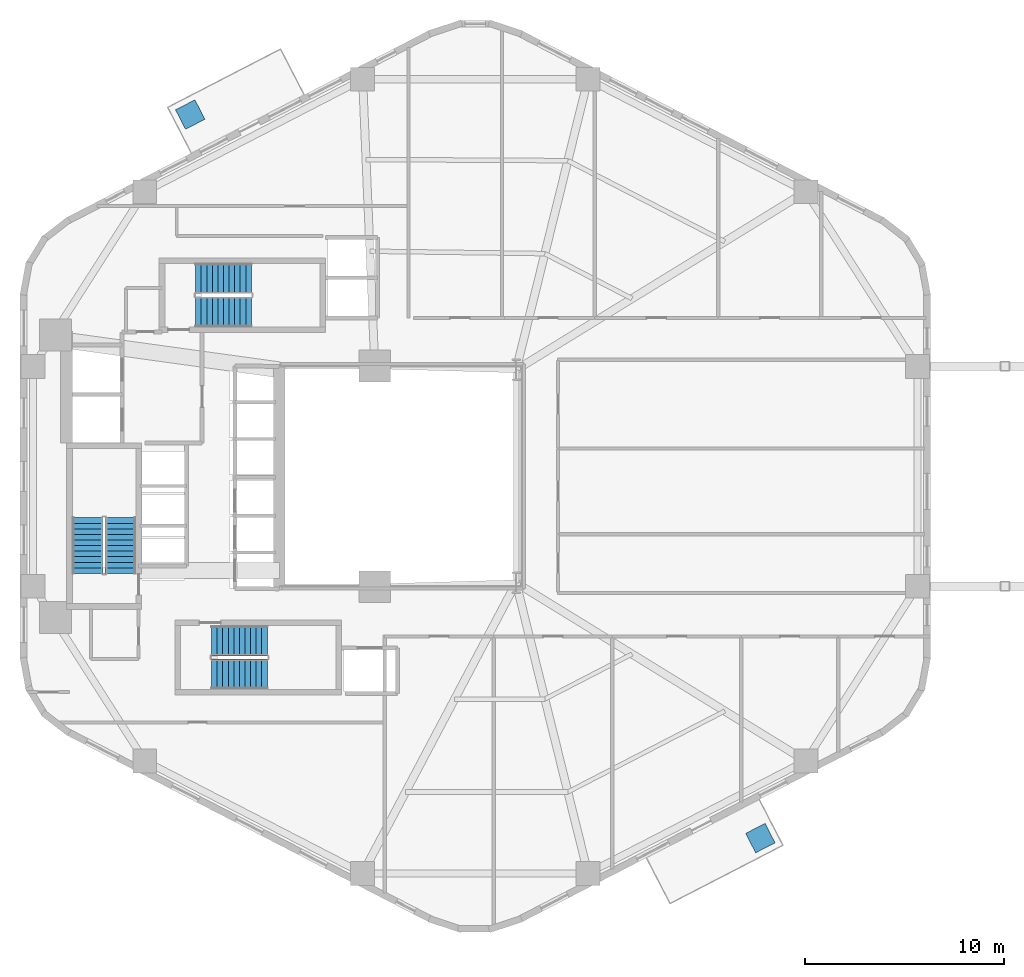
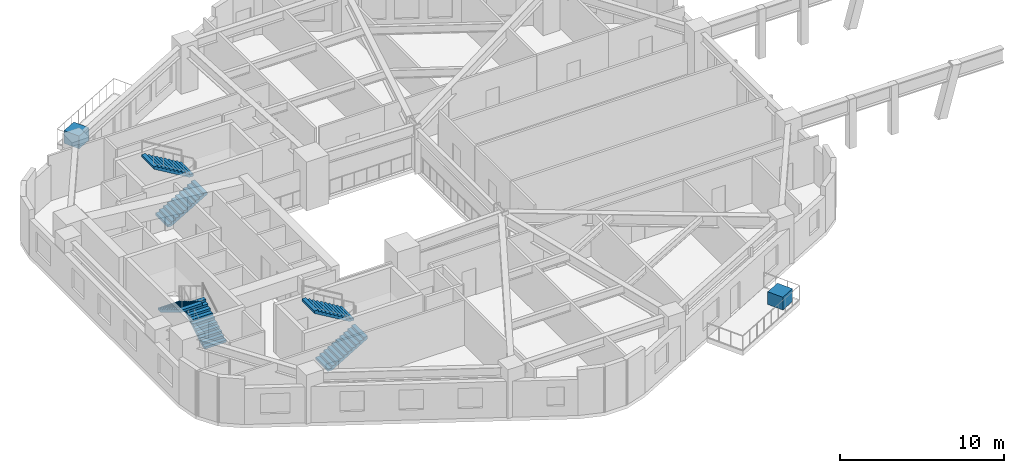
# One storey, part 6 of 8: 6 stair flights, 2 discrete accessories, 3 elements without a shape of their own.
"""IFC4 building model written with IfcOpenShell, lengths in metres."""

from ifc_helpers import new_model, si_unit, direction, frame, origin, origin_2d, place, context, subcontext, project, spatial, polyline, rectangle, outline, extrude, material, type_object, element, aggregate, save


model = new_model("IFC4")

# Units and contexts
model_context = context("Model", 3, precision=1e-05, world=origin(), true_north=direction((0.0, 1.0)))
body_context = subcontext(model_context, "Body", "Model", "MODEL_VIEW")
ifc_project = project(units=[si_unit("LENGTHUNIT", "METRE"), si_unit("AREAUNIT", "SQUARE_METRE"), si_unit("VOLUMEUNIT", "CUBIC_METRE"), si_unit("PLANEANGLEUNIT", "RADIAN"), si_unit("MASSUNIT", "GRAM", prefix="KILO"), si_unit("THERMODYNAMICTEMPERATUREUNIT", "KELVIN"), si_unit("POWERUNIT", "WATT")], contexts=[model_context])

# Site, building, storey
site_placement = place(None, origin())
site = spatial("IfcSite", under=ifc_project, at=site_placement, CompositionType="ELEMENT")
building_placement = place(site_placement, origin())
building = spatial("IfcBuilding", under=site, at=building_placement, Name="Skarre Station Tower", CompositionType="ELEMENT")
storey_placement = place(building_placement, frame((0.0, 0.0, 45.25)))
storey = spatial("IfcBuildingStorey", under=building, at=storey_placement, Name="L11", CompositionType="ELEMENT", Elevation=45.25)

# Stair, stair flights
ifc_material_1 = material(Name="Concrete C40/50", Category="concrete")
stair_type_1 = type_object("IfcStairType", Name="Reinforced Concrete Exit Stair ST-1", PredefinedType="HALF_TURN_STAIR", material=ifc_material_1)
stair_1_placement = place(storey_placement, origin())
stair_1 = element("IfcStair", 1, at=stair_1_placement, inside=storey, type_object=stair_type_1, Name="L11 Core Exit Stair ST-1", PredefinedType="HALF_TURN_STAIR")
stair_flight_type_1 = type_object("IfcStairFlightType", Name="Reinforced Concrete Stair Flight ST-1", PredefinedType="STRAIGHT", material=ifc_material_1)
stair_flight_1_placement = place(storey_placement, frame((19.590087890625, 19.1201171875, 0.0), z_axis=(0.0, 0.0, 1.0), x_axis=(0.0, 1.0, 0.0)))
stair_flight_1 = element("IfcStairFlight", 2, at=stair_flight_1_placement, type_object=stair_flight_type_1, Name="ST-1 flight 1", NumberOfRisers=11, NumberOfTreads=10, PredefinedType="STRAIGHT", RiserHeight=0.165909091, TreadLength=0.28, context=body_context, shape_type="SweptSolid", body=[
    extrude(outline(polyline([(0.0, 0.0), (0.0, 0.166015625), (0.280029296875, 0.166015625), (0.280029296875, 0.331787109375), (0.56005859375, 0.331787109375), (0.56005859375, 0.497802734375), (0.840087890625, 0.497802734375), (0.840087890625, 0.66357421875), (1.1201171875, 0.66357421875), (1.1201171875, 0.82958984375), (1.39990234375, 0.82958984375), (1.39990234375, 0.995361328125), (1.679931640625, 0.995361328125), (1.679931640625, 1.161376953125), (1.9599609375, 1.161376953125), (1.9599609375, 1.327392578125), (2.239990234375, 1.327392578125), (2.239990234375, 1.4931640625), (2.52001953125, 1.4931640625), (2.52001953125, 1.6591796875), (2.800048828125, 1.6591796875), (2.800048828125, 1.824951171875), (2.800048828125, 1.48486328125), (0.2939453125, 0.0), (0.0, 0.0)])), frame((0.0, 0.760009765625, 0.0), z_axis=(0.0, -1.0, 0.0), x_axis=(1.0, 0.0, 0.0)), (0.0, 0.0, 1.0), 1.52001953125),
])
stair_flight_2_placement = place(storey_placement, frame((17.909912109375, 21.919921875, 1.824951171875), z_axis=(0.0, 0.0, 1.0), x_axis=(0.0, -1.0, 0.0)))
stair_flight_2 = element("IfcStairFlight", 3, at=stair_flight_2_placement, type_object=stair_flight_type_1, Name="ST-1 flight 2", NumberOfRisers=11, NumberOfTreads=10, PredefinedType="STRAIGHT", RiserHeight=0.165909091, TreadLength=0.28, context=body_context, shape_type="SweptSolid", body=[
    extrude(outline(polyline([(0.0, 0.0), (0.0, 0.166015625), (0.280029296875, 0.166015625), (0.280029296875, 0.331787109375), (0.56005859375, 0.331787109375), (0.56005859375, 0.497802734375), (0.840087890625, 0.497802734375), (0.840087890625, 0.66357421875), (1.1201171875, 0.66357421875), (1.1201171875, 0.82958984375), (1.39990234375, 0.82958984375), (1.39990234375, 0.995361328125), (1.679931640625, 0.995361328125), (1.679931640625, 1.161376953125), (1.9599609375, 1.161376953125), (1.9599609375, 1.327392578125), (2.239990234375, 1.327392578125), (2.239990234375, 1.4931640625), (2.52001953125, 1.4931640625), (2.52001953125, 1.6591796875), (2.800048828125, 1.6591796875), (2.800048828125, 1.824951171875), (2.800048828125, 1.48486328125), (0.2939453125, 0.0), (0.0, 0.0)])), frame((0.0, 0.760009765625, 0.0), z_axis=(0.0, -1.0, 0.0), x_axis=(1.0, 0.0, 0.0)), (0.0, 0.0, 1.0), 1.52001953125),
])
aggregate(stair_1, [stair_flight_1, stair_flight_2])

stair_type_2 = type_object("IfcStairType", Name="Reinforced Concrete Exit Stair ST-2", PredefinedType="HALF_TURN_STAIR", material=ifc_material_1)
stair_2_placement = place(storey_placement, origin())
stair_2 = element("IfcStair", 4, at=stair_2_placement, inside=storey, type_object=stair_type_2, Name="L11 Core Exit Stair ST-2", PredefinedType="HALF_TURN_STAIR")
stair_flight_type_2 = type_object("IfcStairFlightType", Name="Reinforced Concrete Stair Flight ST-2", PredefinedType="STRAIGHT", material=ifc_material_1)
stair_flight_3_placement = place(storey_placement, frame((24.14990234375, 14.06005859375, 0.0), z_axis=(0.0, 0.0, 1.0), x_axis=(1.0, 0.0, 0.0)))
stair_flight_3 = element("IfcStairFlight", 5, at=stair_flight_3_placement, type_object=stair_flight_type_2, Name="ST-2 flight 1", NumberOfRisers=11, NumberOfTreads=10, PredefinedType="STRAIGHT", RiserHeight=0.165909091, TreadLength=0.28, context=body_context, shape_type="SweptSolid", body=[
    extrude(outline(polyline([(0.0, 0.0), (0.0, 0.166015625), (0.280029296875, 0.166015625), (0.280029296875, 0.331787109375), (0.56005859375, 0.331787109375), (0.56005859375, 0.497802734375), (0.840087890625, 0.497802734375), (0.840087890625, 0.66357421875), (1.1201171875, 0.66357421875), (1.1201171875, 0.82958984375), (1.39990234375, 0.82958984375), (1.39990234375, 0.995361328125), (1.679931640625, 0.995361328125), (1.679931640625, 1.161376953125), (1.9599609375, 1.161376953125), (1.9599609375, 1.327392578125), (2.239990234375, 1.327392578125), (2.239990234375, 1.4931640625), (2.52001953125, 1.4931640625), (2.52001953125, 1.6591796875), (2.800048828125, 1.6591796875), (2.800048828125, 1.824951171875), (2.800048828125, 1.48486328125), (0.2939453125, 0.0), (0.0, 0.0)])), frame((0.0, 0.760009765625, 0.0), z_axis=(0.0, -1.0, 0.0), x_axis=(1.0, 0.0, 0.0)), (0.0, 0.0, 1.0), 1.52001953125),
])
stair_flight_4_placement = place(storey_placement, frame((26.949951171875, 15.739990234375, 1.824951171875), z_axis=(0.0, 0.0, 1.0), x_axis=(-1.0, 0.0, 0.0)))
stair_flight_4 = element("IfcStairFlight", 6, at=stair_flight_4_placement, type_object=stair_flight_type_2, Name="ST-2 flight 2", NumberOfRisers=11, NumberOfTreads=10, PredefinedType="STRAIGHT", RiserHeight=0.165909091, TreadLength=0.28, context=body_context, shape_type="SweptSolid", body=[
    extrude(outline(polyline([(0.0, 0.0), (0.0, 0.166015625), (0.280029296875, 0.166015625), (0.280029296875, 0.331787109375), (0.56005859375, 0.331787109375), (0.56005859375, 0.497802734375), (0.840087890625, 0.497802734375), (0.840087890625, 0.66357421875), (1.1201171875, 0.66357421875), (1.1201171875, 0.82958984375), (1.39990234375, 0.82958984375), (1.39990234375, 0.995361328125), (1.679931640625, 0.995361328125), (1.679931640625, 1.161376953125), (1.9599609375, 1.161376953125), (1.9599609375, 1.327392578125), (2.239990234375, 1.327392578125), (2.239990234375, 1.4931640625), (2.52001953125, 1.4931640625), (2.52001953125, 1.6591796875), (2.800048828125, 1.6591796875), (2.800048828125, 1.824951171875), (2.800048828125, 1.48486328125), (0.2939453125, 0.0), (0.0, 0.0)])), frame((0.0, 0.760009765625, 0.0), z_axis=(0.0, -1.0, 0.0), x_axis=(1.0, 0.0, 0.0)), (0.0, 0.0, 1.0), 1.52001953125),
])
aggregate(stair_2, [stair_flight_3, stair_flight_4])

stair_type_3 = type_object("IfcStairType", Name="Reinforced Concrete Exit Stair ST-3", PredefinedType="HALF_TURN_STAIR", material=ifc_material_1)
stair_3_placement = place(storey_placement, origin())
stair_3 = element("IfcStair", 7, at=stair_3_placement, inside=storey, type_object=stair_type_3, Name="L11 Core Exit Stair ST-3", PredefinedType="HALF_TURN_STAIR")
stair_flight_type_3 = type_object("IfcStairFlightType", Name="Reinforced Concrete Stair Flight ST-3", PredefinedType="STRAIGHT", material=ifc_material_1)
stair_flight_5_placement = place(storey_placement, frame((23.35009765625, 32.260009765625, 0.0), z_axis=(0.0, 0.0, 1.0), x_axis=(1.0, 0.0, 0.0)))
stair_flight_5 = element("IfcStairFlight", 8, at=stair_flight_5_placement, type_object=stair_flight_type_3, Name="ST-3 flight 1", NumberOfRisers=11, NumberOfTreads=10, PredefinedType="STRAIGHT", RiserHeight=0.165909091, TreadLength=0.28, context=body_context, shape_type="SweptSolid", body=[
    extrude(outline(polyline([(0.0, 0.0), (0.0, 0.166015625), (0.280029296875, 0.166015625), (0.280029296875, 0.331787109375), (0.56005859375, 0.331787109375), (0.56005859375, 0.497802734375), (0.840087890625, 0.497802734375), (0.840087890625, 0.66357421875), (1.1201171875, 0.66357421875), (1.1201171875, 0.82958984375), (1.39990234375, 0.82958984375), (1.39990234375, 0.995361328125), (1.679931640625, 0.995361328125), (1.679931640625, 1.161376953125), (1.9599609375, 1.161376953125), (1.9599609375, 1.327392578125), (2.239990234375, 1.327392578125), (2.239990234375, 1.4931640625), (2.52001953125, 1.4931640625), (2.52001953125, 1.6591796875), (2.800048828125, 1.6591796875), (2.800048828125, 1.824951171875), (2.800048828125, 1.48486328125), (0.2939453125, 0.0), (0.0, 0.0)])), frame((0.0, 0.760009765625, 0.0), z_axis=(0.0, -1.0, 0.0), x_axis=(1.0, 0.0, 0.0)), (0.0, 0.0, 1.0), 1.52001953125),
])
stair_flight_6_placement = place(storey_placement, frame((26.14990234375, 33.93994140625, 1.824951171875), z_axis=(0.0, 0.0, 1.0), x_axis=(-1.0, 0.0, 0.0)))
stair_flight_6 = element("IfcStairFlight", 9, at=stair_flight_6_placement, type_object=stair_flight_type_3, Name="ST-3 flight 2", NumberOfRisers=11, NumberOfTreads=10, PredefinedType="STRAIGHT", RiserHeight=0.165909091, TreadLength=0.28, context=body_context, shape_type="SweptSolid", body=[
    extrude(outline(polyline([(0.0, 0.0), (0.0, 0.166015625), (0.280029296875, 0.166015625), (0.280029296875, 0.331787109375), (0.56005859375, 0.331787109375), (0.56005859375, 0.497802734375), (0.840087890625, 0.497802734375), (0.840087890625, 0.66357421875), (1.1201171875, 0.66357421875), (1.1201171875, 0.82958984375), (1.39990234375, 0.82958984375), (1.39990234375, 0.995361328125), (1.679931640625, 0.995361328125), (1.679931640625, 1.161376953125), (1.9599609375, 1.161376953125), (1.9599609375, 1.327392578125), (2.239990234375, 1.327392578125), (2.239990234375, 1.4931640625), (2.52001953125, 1.4931640625), (2.52001953125, 1.6591796875), (2.800048828125, 1.6591796875), (2.800048828125, 1.824951171875), (2.800048828125, 1.48486328125), (0.2939453125, 0.0), (0.0, 0.0)])), frame((0.0, 0.760009765625, 0.0), z_axis=(0.0, -1.0, 0.0), x_axis=(1.0, 0.0, 0.0)), (0.0, 0.0, 1.0), 1.52001953125),
])
aggregate(stair_3, [stair_flight_5, stair_flight_6])

# Discrete accessories
ifc_material_2 = material(Name="Precast concrete C45/55", Category="concrete")
discrete_accessory_type = type_object("IfcDiscreteAccessoryType", Name="Insulated Precast Tree Planter Trough 1100x1100x950", PredefinedType="USERDEFINED", material=ifc_material_2)
for number, where, z_axis, x_axis, name in (
    (10, (23.077880859375, 42.177001953125, 0.0), (0.0, 0.0, 1.0), (-0.458618535612, 0.888633242003, 0.0), "L11 TB-L11-F1 Insulated Precast Tree Planter Trough"),
    (11, (51.721923828125, 5.822998046875, 0.0), (0.0, 0.0, 1.0), (0.458618535612, -0.888633242003, 0.0), "L11 TB-L11-F4 Insulated Precast Tree Planter Trough"),
):
    element("IfcDiscreteAccessory", number, at=place(storey_placement, frame(where, z_axis=z_axis, x_axis=x_axis)), inside=storey, type_object=discrete_accessory_type, Name=name, ObjectType="PLANTER", PredefinedType="USERDEFINED", context=body_context, shape_type="SweptSolid", body=[
        extrude(rectangle(XDim=1.10009765625, YDim=1.10009765625, at=origin_2d()), origin(), (0.0, 0.0, 1.0), 0.949951171875),
    ])

save(model, "model.ifc")
